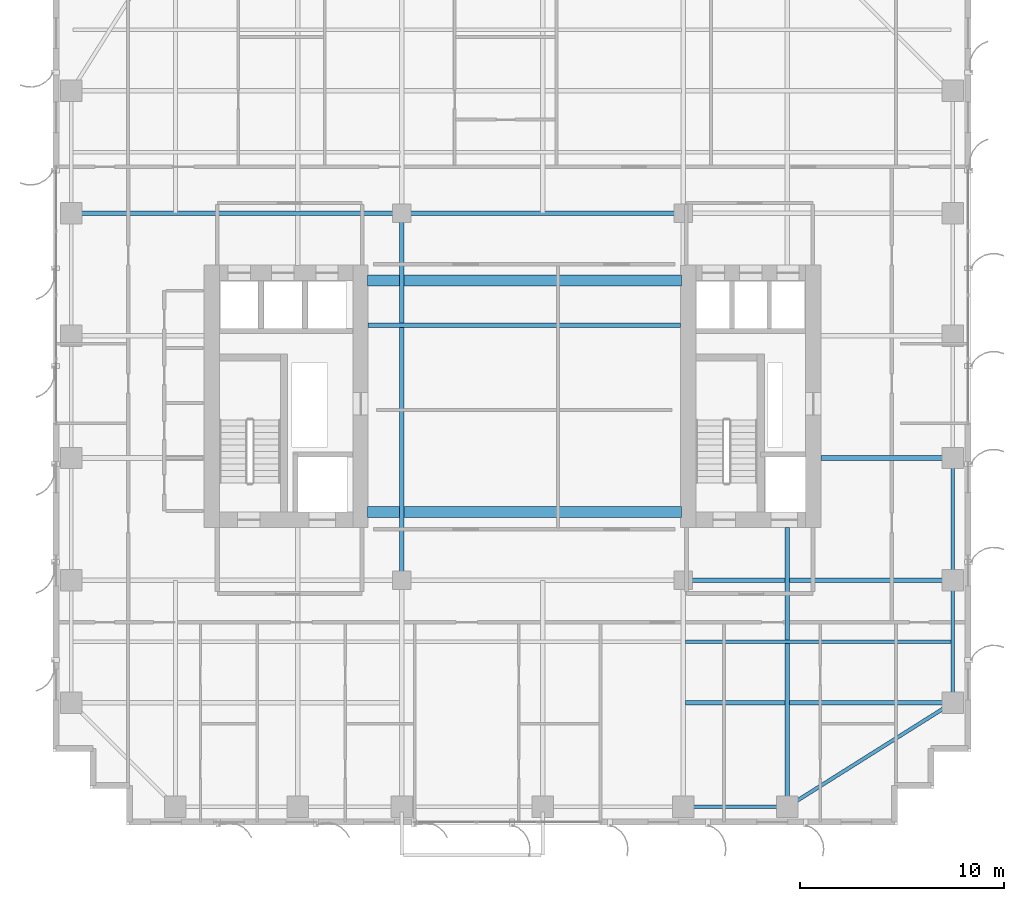
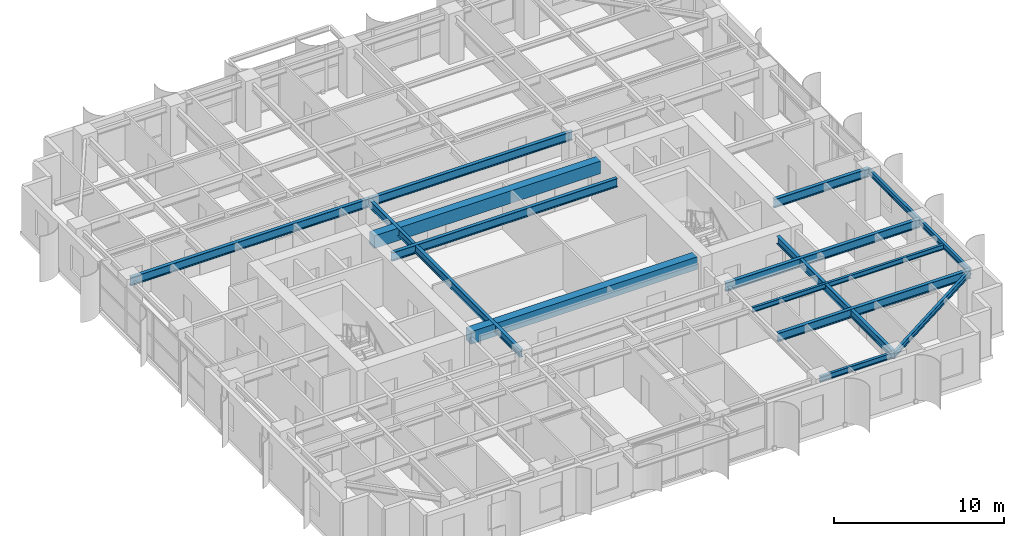
# One storey, part 5 of 25: 15 beams.
"""IFC4 building model written with IfcOpenShell, lengths in metres."""

from ifc_helpers import new_model, si_unit, direction, frame, origin, origin_2d, place, context, subcontext, project, spatial, rectangle, i_section, extrude, source, transform, mapped, material, material_profile, profile_set, type_object, element, save


model = new_model("IFC4")

# Units and contexts
model_context = context("Model", 3, precision=1e-05, world=origin(), true_north=direction((0.0, 1.0)))
body_context = subcontext(model_context, "Body", "Model", "MODEL_VIEW")
ifc_project = project(units=[si_unit("LENGTHUNIT", "METRE"), si_unit("AREAUNIT", "SQUARE_METRE"), si_unit("VOLUMEUNIT", "CUBIC_METRE"), si_unit("PLANEANGLEUNIT", "RADIAN"), si_unit("MASSUNIT", "GRAM", prefix="KILO")], contexts=[model_context])

# Site, building, storey
site_placement = place(None, origin())
site = spatial("IfcSite", under=ifc_project, at=site_placement, CompositionType="ELEMENT")
building_placement = place(site_placement, origin())
building = spatial("IfcBuilding", under=site, at=building_placement, Name="Khoralis Quay Care Tower", CompositionType="ELEMENT")
storey_placement = place(building_placement, frame((0.0, 0.0, 134.10009765625)))
storey = spatial("IfcBuildingStorey", under=building, at=storey_placement, Name="L35", CompositionType="ELEMENT", Elevation=134.10009765625)

# Beams
ifc_material_1 = material(Name="Concrete C65/80", Category="concrete")
ifc_material_profile_1 = material_profile(ifc_material_1, rectangle(XDim=0.550048828125, YDim=0.89990234375, at=origin_2d()), Name="Concrete C65/80")
ifc_profile_set_1 = profile_set([ifc_material_profile_1], Name="Concrete C65/80")
beam_type_1 = type_object("IfcBeamType", Name="CB-RC550X900", PredefinedType="LINTEL", material=ifc_profile_set_1)
shared_shape_1 = source(origin(), body_context, "Body", "SweptSolid", [
    extrude(rectangle(XDim=0.550048828125, YDim=0.89990234375, at=origin_2d()), origin(), (0.0, 0.0, 1.0), 15.380126953125),
])
for number, where, z_axis, x_axis, name in (
    (1, (15.419921875, 15.35009765625, 2.889892578125), (1.0, 0.0, 0.0), (0.0, 1.0, 0.0), "L35 South Core Coupling Lintel"),
    (2, (15.419921875, 26.699951171875, 2.889892578125), (1.0, 0.0, 0.0), (0.0, 1.0, 0.0), "L35 North Core Coupling Lintel"),
):
    element("IfcBeam", number, at=place(storey_placement, frame(where, z_axis=z_axis, x_axis=x_axis)), inside=storey, type_object=beam_type_1, Name=name, PredefinedType="LINTEL", context=body_context, shape_type="MappedRepresentation", body=[
        mapped(shared_shape_1, transform((0.0, 0.0, 0.0), scale=1.0)),
    ])
ifc_material_2 = material(Name="Steel S355", Category="steel")
ifc_material_profile_2 = material_profile(ifc_material_2, i_section(OverallWidth=0.179931640625, OverallDepth=0.39990234375, WebThickness=0.008544921875, FlangeThickness=0.013427734375, FilletRadius=0.02099609375, at=origin_2d()), Name="Steel S355")
ifc_profile_set_2 = profile_set([ifc_material_profile_2], Name="Steel S355")
beam_type_2 = type_object("IfcBeamType", Name="BM-IPE400", PredefinedType="SPANDREL", material=ifc_profile_set_2)
shared_shape_2 = source(origin(), body_context, "Body", "SweptSolid", [
    extrude(i_section(OverallWidth=0.179931640625, OverallDepth=0.39990234375, WebThickness=0.008544921875, FlangeThickness=0.013427734375, FilletRadius=0.02099609375, at=origin_2d()), origin(), (0.0, 0.0, 1.0), 6.0),
])
for number, where, z_axis, x_axis, name in (
    (3, (44.10009765625, 6.0, 3.139892578125), (0.0, 1.0, 0.0), (-1.0, 0.0, 0.0), "BM-TSP-L35-16"),
    (4, (44.10009765625, 12.0, 3.139892578125), (0.0, 1.0, 0.0), (-1.0, 0.0, 0.0), "BM-TSP-L35-17"),
):
    element("IfcBeam", number, at=place(storey_placement, frame(where, z_axis=z_axis, x_axis=x_axis)), inside=storey, type_object=beam_type_2, Name=name, PredefinedType="SPANDREL", context=body_context, shape_type="MappedRepresentation", body=[
        mapped(shared_shape_2, transform((0.0, 0.0, 0.0), scale=1.0)),
    ])
shared_shape_3 = source(origin(), body_context, "Body", "SweptSolid", [
    extrude(i_section(OverallWidth=0.179931640625, OverallDepth=0.39990234375, WebThickness=0.008544921875, FlangeThickness=0.013427734375, FilletRadius=0.02099609375, at=origin_2d()), origin(), (0.0, 0.0, 1.0), 5.10009765625),
])
beam_1_placement = place(storey_placement, frame((30.89990234375, 0.89990234375, 3.139892578125), z_axis=(1.0, 0.0, 0.0), x_axis=(0.0, 1.0, 0.0)))
element("IfcBeam", 5, at=beam_1_placement, inside=storey, type_object=beam_type_2, Name="BM-TSP-L35-05", PredefinedType="SPANDREL", context=body_context, shape_type="MappedRepresentation", body=[
    mapped(shared_shape_3, transform((0.0, 0.0, 0.0), scale=1.0)),
])
shared_shape_4 = source(origin(), body_context, "Body", "SweptSolid", [
    extrude(i_section(OverallWidth=0.179931640625, OverallDepth=0.39990234375, WebThickness=0.008544921875, FlangeThickness=0.013427734375, FilletRadius=0.02099609375, at=origin_2d()), origin(), (0.0, 0.0, 1.0), 9.572021484375),
])
beam_2_placement = place(storey_placement, frame((36.0, 0.89990234375, 3.139892578125), z_axis=(0.846231136359, 0.532815975602, 0.0), x_axis=(-0.532815975602, 0.846231136359, 0.0)))
element("IfcBeam", 6, at=beam_2_placement, inside=storey, type_object=beam_type_2, Name="BM-TCR-L35-22", PredefinedType="SPANDREL", context=body_context, shape_type="MappedRepresentation", body=[
    mapped(shared_shape_4, transform((0.0, 0.0, 0.0), scale=1.0)),
])
ifc_material_profile_3 = material_profile(ifc_material_2, i_section(OverallWidth=0.22998046875, OverallDepth=0.616943359375, WebThickness=0.01318359375, FlangeThickness=0.022216796875, FilletRadius=0.01806640625, at=origin_2d()), Name="Steel S355")
ifc_profile_set_3 = profile_set([ifc_material_profile_3], Name="Steel S355")
beam_type_3 = type_object("IfcBeamType", Name="BM-W610X140", PredefinedType="BEAM", material=ifc_profile_set_3)
shared_shape_5 = source(origin(), body_context, "Body", "SweptSolid", [
    extrude(i_section(OverallWidth=0.22998046875, OverallDepth=0.616943359375, WebThickness=0.01318359375, FlangeThickness=0.022216796875, FilletRadius=0.01806640625, at=origin_2d()), origin(), (0.0, 0.0, 1.0), 16.2001953125),
])
beam_3_placement = place(storey_placement, frame((0.89990234375, 30.0, 3.031494140625), z_axis=(1.0, 0.0, 0.0), x_axis=(0.0, 1.0, 0.0)))
element("IfcBeam", 7, at=beam_3_placement, inside=storey, type_object=beam_type_3, Name="BM-TGXW-L35-300", PredefinedType="BEAM", context=body_context, shape_type="MappedRepresentation", body=[
    mapped(shared_shape_5, transform((0.0, 0.0, 0.0), scale=1.0)),
])
shared_shape_6 = source(origin(), body_context, "Body", "SweptSolid", [
    extrude(i_section(OverallWidth=0.22998046875, OverallDepth=0.616943359375, WebThickness=0.01318359375, FlangeThickness=0.022216796875, FilletRadius=0.01806640625, at=origin_2d()), origin(), (0.0, 0.0, 1.0), 13.106201171875),
])
beam_4_placement = place(storey_placement, frame((30.993896484375, 6.0, 3.031494140625), z_axis=(1.0, 0.0, 0.0), x_axis=(0.0, 1.0, 0.0)))
element("IfcBeam", 8, at=beam_4_placement, inside=storey, type_object=beam_type_3, Name="BM-TGXE-L35-60", PredefinedType="BEAM", context=body_context, shape_type="MappedRepresentation", body=[
    mapped(shared_shape_6, transform((0.0, 0.0, 0.0), scale=1.0)),
])
shared_shape_7 = source(origin(), body_context, "Body", "SweptSolid", [
    extrude(i_section(OverallWidth=0.22998046875, OverallDepth=0.616943359375, WebThickness=0.01318359375, FlangeThickness=0.022216796875, FilletRadius=0.01806640625, at=origin_2d()), origin(), (0.0, 0.0, 1.0), 13.2001953125),
])
beam_5_placement = place(storey_placement, frame((30.89990234375, 12.0, 3.031494140625), z_axis=(1.0, 0.0, 0.0), x_axis=(0.0, 1.0, 0.0)))
element("IfcBeam", 9, at=beam_5_placement, inside=storey, type_object=beam_type_3, Name="BM-TGXE-L35-120", PredefinedType="BEAM", context=body_context, shape_type="MappedRepresentation", body=[
    mapped(shared_shape_7, transform((0.0, 0.0, 0.0), scale=1.0)),
])
shared_shape_8 = source(origin(), body_context, "Body", "SweptSolid", [
    extrude(i_section(OverallWidth=0.22998046875, OverallDepth=0.616943359375, WebThickness=0.01318359375, FlangeThickness=0.022216796875, FilletRadius=0.01806640625, at=origin_2d()), origin(), (0.0, 0.0, 1.0), 6.4521484375),
])
beam_6_placement = place(storey_placement, frame((37.64794921875, 18.0, 3.031494140625), z_axis=(1.0, 0.0, 0.0), x_axis=(0.0, 1.0, 0.0)))
element("IfcBeam", 10, at=beam_6_placement, inside=storey, type_object=beam_type_3, Name="BM-TGXE-L35-180", PredefinedType="BEAM", context=body_context, shape_type="MappedRepresentation", body=[
    mapped(shared_shape_8, transform((0.0, 0.0, 0.0), scale=1.0)),
])
shared_shape_9 = source(origin(), body_context, "Body", "SweptSolid", [
    extrude(i_section(OverallWidth=0.22998046875, OverallDepth=0.616943359375, WebThickness=0.01318359375, FlangeThickness=0.022216796875, FilletRadius=0.01806640625, at=origin_2d()), origin(), (0.0, 0.0, 1.0), 13.7998046875),
])
beam_7_placement = place(storey_placement, frame((17.10009765625, 30.0, 3.031494140625), z_axis=(1.0, 0.0, 0.0), x_axis=(0.0, 1.0, 0.0)))
element("IfcBeam", 11, at=beam_7_placement, inside=storey, type_object=beam_type_3, Name="BM-TGCC-L35-300", PredefinedType="BEAM", context=body_context, shape_type="MappedRepresentation", body=[
    mapped(shared_shape_9, transform((0.0, 0.0, 0.0), scale=1.0)),
])
shared_shape_10 = source(origin(), body_context, "Body", "SweptSolid", [
    extrude(i_section(OverallWidth=0.22998046875, OverallDepth=0.616943359375, WebThickness=0.01318359375, FlangeThickness=0.022216796875, FilletRadius=0.01806640625, at=origin_2d()), origin(), (0.0, 0.0, 1.0), 15.323974609375),
])
beam_8_placement = place(storey_placement, frame((15.447998046875, 24.5, 3.031494140625), z_axis=(1.0, 0.0, 0.0), x_axis=(0.0, 1.0, 0.0)))
element("IfcBeam", 12, at=beam_8_placement, inside=storey, type_object=beam_type_3, Name="BM-TGCC-L35-245", PredefinedType="BEAM", context=body_context, shape_type="MappedRepresentation", body=[
    mapped(shared_shape_10, transform((0.0, 0.0, 0.0), scale=1.0)),
])
ifc_material_profile_4 = material_profile(ifc_material_2, i_section(OverallWidth=0.2119140625, OverallDepth=0.5439453125, WebThickness=0.01318359375, FlangeThickness=0.021240234375, FilletRadius=0.01611328125, at=origin_2d()), Name="Steel S355")
ifc_profile_set_4 = profile_set([ifc_material_profile_4], Name="Steel S355")
beam_type_4 = type_object("IfcBeamType", Name="BM-W530X123", PredefinedType="BEAM", material=ifc_profile_set_4)
shared_shape_11 = source(origin(), body_context, "Body", "SweptSolid", [
    extrude(i_section(OverallWidth=0.2119140625, OverallDepth=0.5439453125, WebThickness=0.01318359375, FlangeThickness=0.021240234375, FilletRadius=0.01611328125, at=origin_2d()), origin(), (0.0, 0.0, 1.0), 13.7021484375),
])
beam_9_placement = place(storey_placement, frame((36.0, 0.89990234375, 3.06787109375), z_axis=(0.0, 1.0, 0.0), x_axis=(-1.0, 0.0, 0.0)))
element("IfcBeam", 13, at=beam_9_placement, inside=storey, type_object=beam_type_4, Name="BM-TGYS-L35-360", PredefinedType="BEAM", context=body_context, shape_type="MappedRepresentation", body=[
    mapped(shared_shape_11, transform((0.0, 0.0, 0.0), scale=1.0)),
])
shared_shape_12 = source(origin(), body_context, "Body", "SweptSolid", [
    extrude(i_section(OverallWidth=0.2119140625, OverallDepth=0.5439453125, WebThickness=0.01318359375, FlangeThickness=0.021240234375, FilletRadius=0.01611328125, at=origin_2d()), origin(), (0.0, 0.0, 1.0), 18.0),
])
beam_10_placement = place(storey_placement, frame((17.10009765625, 12.0, 3.06787109375), z_axis=(0.0, 1.0, 0.0), x_axis=(-1.0, 0.0, 0.0)))
element("IfcBeam", 14, at=beam_10_placement, inside=storey, type_object=beam_type_4, Name="BM-TGSW-L35", PredefinedType="BEAM", context=body_context, shape_type="MappedRepresentation", body=[
    mapped(shared_shape_12, transform((0.0, 0.0, 0.0), scale=1.0)),
])
ifc_material_profile_5 = material_profile(ifc_material_2, i_section(OverallWidth=0.1708984375, OverallDepth=0.35498046875, WebThickness=0.007080078125, FlangeThickness=0.01171875, FilletRadius=0.012939453125, at=origin_2d()), Name="Steel S355")
ifc_profile_set_5 = profile_set([ifc_material_profile_5], Name="Steel S355")
beam_type_5 = type_object("IfcBeamType", Name="BM-W360X51", PredefinedType="JOIST", material=ifc_profile_set_5)
shared_shape_13 = source(origin(), body_context, "Body", "SweptSolid", [
    extrude(i_section(OverallWidth=0.1708984375, OverallDepth=0.35498046875, WebThickness=0.007080078125, FlangeThickness=0.01171875, FilletRadius=0.012939453125, at=origin_2d()), origin(), (0.0, 0.0, 1.0), 13.030029296875),
])
beam_11_placement = place(storey_placement, frame((30.993896484375, 9.0, 3.162353515625), z_axis=(1.0, 0.0, 0.0), x_axis=(0.0, 1.0, 0.0)))
element("IfcBeam", 15, at=beam_11_placement, inside=storey, type_object=beam_type_5, Name="BM-TJS-L35-26", PredefinedType="JOIST", context=body_context, shape_type="MappedRepresentation", body=[
    mapped(shared_shape_13, transform((0.0, 0.0, 0.0), scale=1.0)),
])

save(model, "model.ifc")
